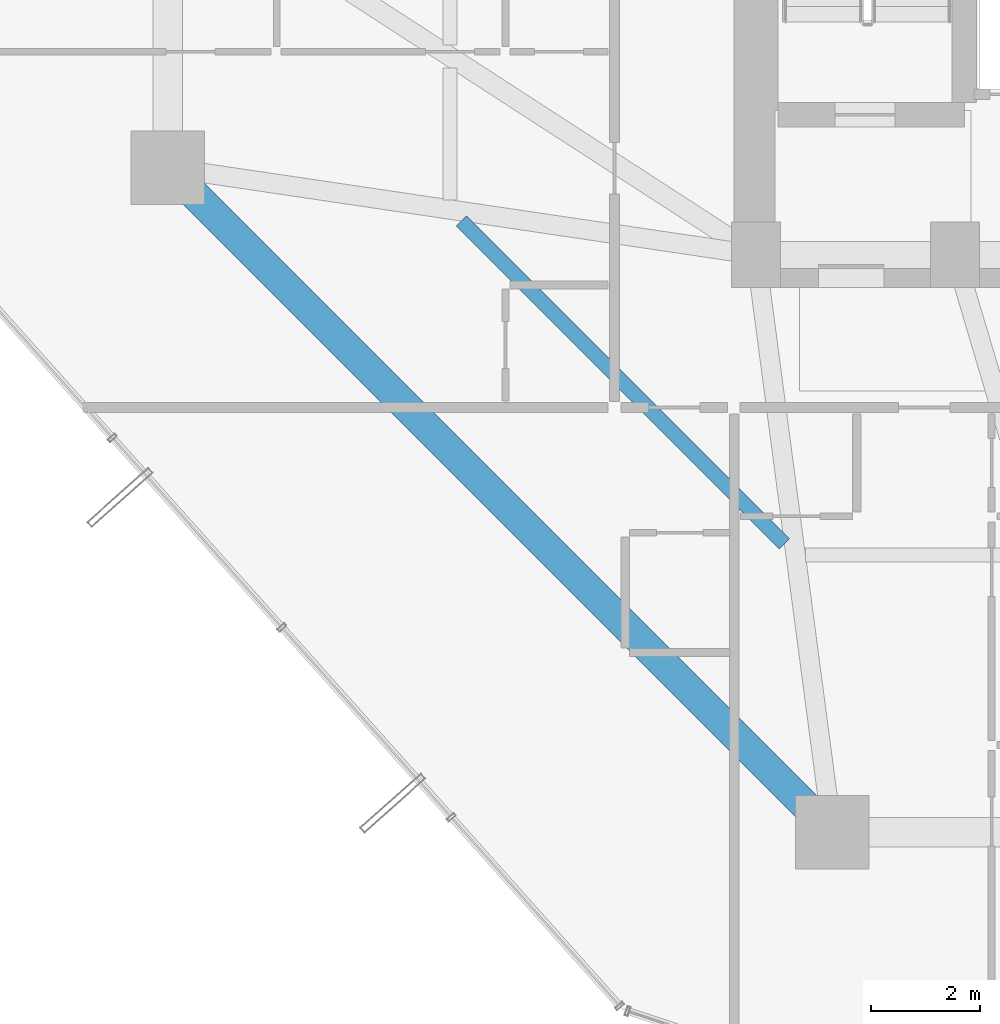
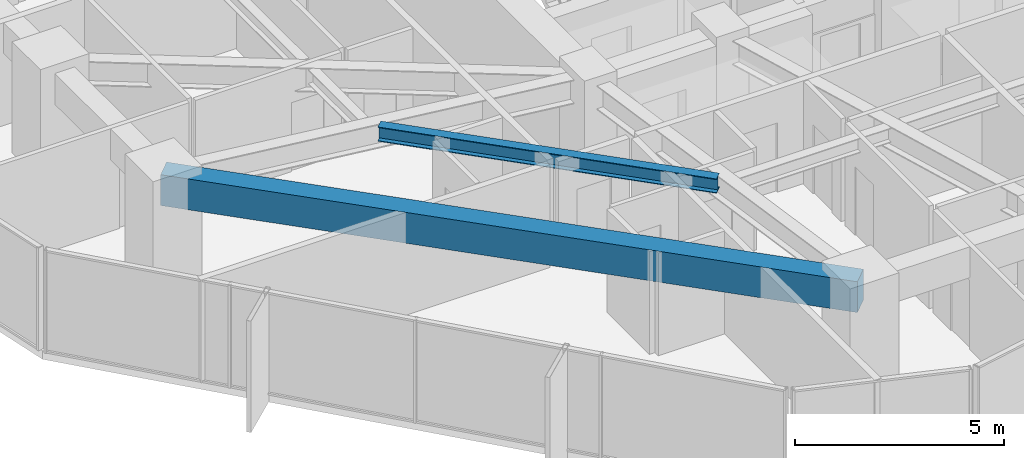
# One storey, part 5 of 38: 2 beams.
"""IFC4 building model written with IfcOpenShell, lengths in metres."""

import ifcopenshell
import ifcopenshell.guid

model = None  # the IFC model being written
_history = None  # IfcOwnerHistory: only IFC2X3 demands one
_inside = {}  # id of a spatial element -> (the spatial element, [elements in it])
_under = {}  # id of a project, library or spatial element -> (it, [spatial elements below it])
_declared = {}  # id of a project -> (the project, [libraries it declares])
_typed = {}  # id of a type object -> (the type object, [elements of that type])
_made_of = {}  # id of a material, layer set ... -> (it, [elements and type objects made of it])


def new_model(schema):
    """Start an empty IFC model of exactly this schema.

    Asked for "IFC4X3", IfcOpenShell would pick the latest addendum, in which some entities
    have other attributes; the version numbers below select the first issue.
    IFC2X3 requires an IfcOwnerHistory on every rooted entity: one is made here for all.
    """
    global model, _history
    if schema == "IFC4X3":
        model = ifcopenshell.file(schema_version=(4, 3, 0, 0))
    else:
        model = ifcopenshell.file(schema=schema)
    _inside.clear()
    _under.clear()
    _declared.clear()
    _typed.clear()
    _made_of.clear()
    _history = None
    if model.schema == "IFC2X3":
        org = make("IfcOrganization", Name="unknown")
        user = make(
            "IfcPersonAndOrganization",
            ThePerson=make("IfcPerson", FamilyName="unknown"),
            TheOrganization=org,
        )
        app = make(
            "IfcApplication",
            ApplicationDeveloper=org,
            Version="unknown",
            ApplicationFullName="unknown",
            ApplicationIdentifier="unknown",
        )
        _history = make(
            "IfcOwnerHistory",
            OwningUser=user,
            OwningApplication=app,
            ChangeAction="ADDED",
            CreationDate=0,
        )
    return model


def make(cls, **values):
    """One entity of the class cls with the attributes given. An attribute that is None is left unset."""
    return model.create_entity(
        cls, **{name: value for name, value in values.items() if value is not None}
    )


def rooted(cls, **values):
    """An entity with a GlobalId (a new one), such as an element, a storey or a relation."""
    return make(cls, GlobalId=ifcopenshell.guid.new(), OwnerHistory=_history, **values)


def si_unit(unit_type, name, prefix=None):
    """IfcSIUnit, for example si_unit("LENGTHUNIT", "METRE", prefix="MILLI")."""
    return make("IfcSIUnit", UnitType=unit_type, Prefix=prefix, Name=name)


def assignment(units):
    """IfcUnitAssignment: the units of a project."""
    return None if units is None else make("IfcUnitAssignment", Units=units)


def point(xyz):
    """IfcCartesianPoint."""
    return None if xyz is None else make("IfcCartesianPoint", Coordinates=xyz)


def direction(xyz):
    """IfcDirection."""
    return None if xyz is None else make("IfcDirection", DirectionRatios=xyz)


def frame(location, z_axis=None, x_axis=None):
    """IfcAxis2Placement3D, a coordinate frame: its origin and axes. An axis left out is left unset."""
    return make(
        "IfcAxis2Placement3D",
        Location=point(location),
        Axis=direction(z_axis),
        RefDirection=direction(x_axis),
    )


def frame_2d(location, x_axis=None):
    """IfcAxis2Placement2D, a coordinate frame in the plane: its origin and x axis."""
    return make(
        "IfcAxis2Placement2D", Location=point(location), RefDirection=direction(x_axis)
    )


def origin():
    """The frame at (0, 0, 0) with its axes left unset."""
    return frame((0.0, 0.0, 0.0))


def origin_2d():
    """The frame at (0, 0) in the plane with its x axis left unset."""
    return frame_2d((0.0, 0.0))


def place(relative_to, where):
    """IfcLocalPlacement: puts the frame where relative to a parent placement (None: the world)."""
    return make(
        "IfcLocalPlacement", PlacementRelTo=relative_to, RelativePlacement=where
    )


def context(
    kind, dimensions, precision=None, world=None, true_north=None, identifier=None
):
    """IfcGeometricRepresentationContext, for example the 3D "Model" context."""
    return make(
        "IfcGeometricRepresentationContext",
        ContextIdentifier=identifier,
        ContextType=kind,
        CoordinateSpaceDimension=dimensions,
        Precision=precision,
        WorldCoordinateSystem=world,
        TrueNorth=true_north,
    )


def subcontext(parent, identifier, kind, view, scale=None):
    """IfcGeometricRepresentationSubContext, for example "Body" below "Model"."""
    return make(
        "IfcGeometricRepresentationSubContext",
        ContextIdentifier=identifier,
        ContextType=kind,
        ParentContext=parent,
        TargetScale=scale,
        TargetView=view,
    )


def project(units=None, contexts=None):
    """IfcProject with its units and contexts."""
    return rooted(
        "IfcProject",
        Name="project",
        RepresentationContexts=contexts,
        UnitsInContext=assignment(units),
    )


def spatial(cls, under=None, at=None, **own):
    """A site, building, storey or space (cls), placed at a placement, below another one or the project."""
    s = rooted(cls, ObjectPlacement=at, **own)
    if under is not None:
        _under.setdefault(under.id(), (under, []))[1].append(s)
    return s


def profile(cls, at=None, kind="AREA", **sizes):
    """A parametric profile (cls). Its sizes go by their IFC names, for example OverallWidth=200.0."""
    return make(cls, ProfileType=kind, Position=at, **sizes)


def rectangle(**sizes):
    """IfcRectangleProfileDef."""
    return profile("IfcRectangleProfileDef", **sizes)


def i_section(**sizes):
    """IfcIShapeProfileDef."""
    return profile("IfcIShapeProfileDef", **sizes)


def extrude(swept, where, along, depth):
    """IfcExtrudedAreaSolid: the profile swept, set in the frame where, extruded along a direction by depth."""
    return make(
        "IfcExtrudedAreaSolid",
        SweptArea=swept,
        Position=where,
        ExtrudedDirection=direction(along),
        Depth=depth,
    )


def shape(context_of_items, identifier, shape_type, items):
    """IfcShapeRepresentation: the items that make up one representation, for example the "Body"."""
    return make(
        "IfcShapeRepresentation",
        ContextOfItems=context_of_items,
        RepresentationIdentifier=identifier,
        RepresentationType=shape_type,
        Items=items,
    )


def material(Name=None, Category=None):
    """IfcMaterial."""
    return make("IfcMaterial", Name=Name, Category=Category)


def material_profile(
    of_material, cross_section, Name=None, Category=None, Priority=None
):
    """IfcMaterialProfile: a cross section and its material."""
    return make(
        "IfcMaterialProfile",
        Name=Name,
        Material=of_material,
        Profile=cross_section,
        Priority=Priority,
        Category=Category,
    )


def profile_set(profiles, Name=None, composite=None):
    """IfcMaterialProfileSet."""
    return make(
        "IfcMaterialProfileSet",
        Name=Name,
        MaterialProfiles=profiles,
        CompositeProfile=composite,
    )


def made_of(thing, what):
    """Note that an element or type object is made of a material, layer set ...; save() writes the relation."""
    if what is not None:
        _made_of.setdefault(what.id(), (what, []))[1].append(thing)
    return thing


def type_object(cls, material=None, **own):
    """A type object (cls), such as IfcWallType, which elements share."""
    return made_of(rooted(cls, **own), material)


def element(
    cls,
    number,
    at=None,
    inside=None,
    cuts=None,
    type_object=None,
    material=None,
    context=None,
    identifier="Body",
    shape_type=None,
    held_by="IfcProductDefinitionShape",
    body=None,
    shapes=None,
    **own,
):
    """One element of the class cls, such as IfcWall. Its Tag is "e" and its number.

    at: its placement. inside: the storey or other place that contains it. cuts: it is an
    opening in that element (IfcRelVoidsElement). A single representation is given by context,
    identifier, shape_type and body (its items); several are given by shapes. held_by: the class
    of the entity that holds the representations. save() writes the other relations.
    """
    e = rooted(cls, Tag="e%d" % number, ObjectPlacement=at, **own)
    if body is not None:
        shapes = [shape(context, identifier, shape_type, body)]
    if shapes is not None:
        e.Representation = make(held_by, Representations=shapes)
    if inside is not None:
        _inside.setdefault(inside.id(), (inside, []))[1].append(e)
    if cuts is not None:
        rooted(
            "IfcRelVoidsElement", RelatingBuildingElement=cuts, RelatedOpeningElement=e
        )
    if type_object is not None:
        _typed.setdefault(type_object.id(), (type_object, []))[1].append(e)
    return made_of(e, material)


def aggregate(whole, parts):
    """IfcRelAggregates: a whole, such as a stair, and the parts it consists of."""
    return rooted("IfcRelAggregates", RelatingObject=whole, RelatedObjects=parts)


def save(model, path):
    """Write the relations noted so far, then the file.

    IfcRelAggregates (storeys below a building ...), IfcRelContainedInSpatialStructure (elements
    in a storey), IfcRelDefinesByType, IfcRelAssociatesMaterial and IfcRelDeclares: one each for
    every whole, place, type object, material and project.
    """
    for whole, parts in _under.values():
        aggregate(whole, parts)
    for where, things in _inside.values():
        rooted(
            "IfcRelContainedInSpatialStructure",
            RelatedElements=things,
            RelatingStructure=where,
        )
    for kind, things in _typed.values():
        rooted("IfcRelDefinesByType", RelatedObjects=things, RelatingType=kind)
    for what, things in _made_of.values():
        rooted("IfcRelAssociatesMaterial", RelatedObjects=things, RelatingMaterial=what)
    for by, libraries in _declared.values():
        rooted("IfcRelDeclares", RelatingContext=by, RelatedDefinitions=libraries)
    model.write(path)


model = new_model("IFC4")

# Units and contexts
model_context = context("Model", 3, precision=1e-05, world=origin(), true_north=direction((0.0, 1.0)))
body_context = subcontext(model_context, "Body", "Model", "MODEL_VIEW")
ifc_project = project(units=[si_unit("LENGTHUNIT", "METRE"), si_unit("AREAUNIT", "SQUARE_METRE"), si_unit("VOLUMEUNIT", "CUBIC_METRE"), si_unit("PLANEANGLEUNIT", "RADIAN"), si_unit("MASSUNIT", "GRAM", prefix="KILO")], contexts=[model_context])

# Site, building, storey
site_placement = place(None, origin())
site = spatial("IfcSite", under=ifc_project, at=site_placement, CompositionType="ELEMENT")
building_placement = place(site_placement, origin())
building = spatial("IfcBuilding", under=site, at=building_placement, Name="Veraguas Prism Commons", CompositionType="ELEMENT")
storey_placement = place(building_placement, frame((0.0, 0.0, 64.10009765625)))
storey = spatial("IfcBuildingStorey", under=building, at=storey_placement, Name="L17", CompositionType="ELEMENT", Elevation=64.10009765625)

# Beams
ifc_material_1 = material(Name="Steel ASTM A992 Grade 50", Category="steel")
ifc_material_profile_1 = material_profile(ifc_material_1, i_section(OverallWidth=0.260986328125, OverallDepth=0.419921875, WebThickness=0.01171875, FlangeThickness=0.019287109375, at=origin_2d()), Name="W410X114")
ifc_profile_set_1 = profile_set([ifc_material_profile_1], Name="Steel ASTM A992 Grade 50")
beam_type_1 = type_object("IfcBeamType", Name="Lower Floor Joist W410x114", PredefinedType="JOIST", material=ifc_profile_set_1)
beam_1_placement = place(storey_placement, frame((11.79296875, 17.623046875, 2.789794921875), z_axis=(0.707092226423, -0.70712133565, 0.0), x_axis=(0.70712133565, 0.707092226423, 0.0)))
element("IfcBeam", 1, at=beam_1_placement, inside=storey, type_object=beam_type_1, Name="Composite Floor Joist L17-JS09", PredefinedType="JOIST", context=body_context, shape_type="SweptSolid", body=[
    extrude(i_section(OverallWidth=0.260986328125, OverallDepth=0.419921875, WebThickness=0.01171875, FlangeThickness=0.019287109375, at=origin_2d()), origin(), (0.0, 0.0, 1.0), 8.386962890625),
])
ifc_material_2 = material(Name="Concrete C50/60", Category="concrete")
ifc_material_profile_2 = material_profile(ifc_material_2, rectangle(XDim=0.550048828125, YDim=0.89990234375, at=origin_2d()), Name="RC550X900")
ifc_profile_set_2 = profile_set([ifc_material_profile_2], Name="Concrete C50/60")
beam_type_2 = type_object("IfcBeamType", Name="Perimeter Spandrel Lower RC 550x900", PredefinedType="SPANDREL", material=ifc_profile_set_2)
beam_2_placement = place(storey_placement, frame((6.39990234375, 18.60009765625, 2.5498046875), z_axis=(0.707106781187, -0.707106781187, 0.0), x_axis=(0.707106781187, 0.707106781187, 0.0)))
element("IfcBeam", 2, at=beam_2_placement, inside=storey, type_object=beam_type_2, Name="Perimeter Spandrel Beam L17-SP09", PredefinedType="SPANDREL", context=body_context, shape_type="SweptSolid", body=[
    extrude(rectangle(XDim=0.550048828125, YDim=0.89990234375, at=origin_2d()), origin(), (0.0, 0.0, 1.0), 17.253662109375),
])

save(model, "model.ifc")
